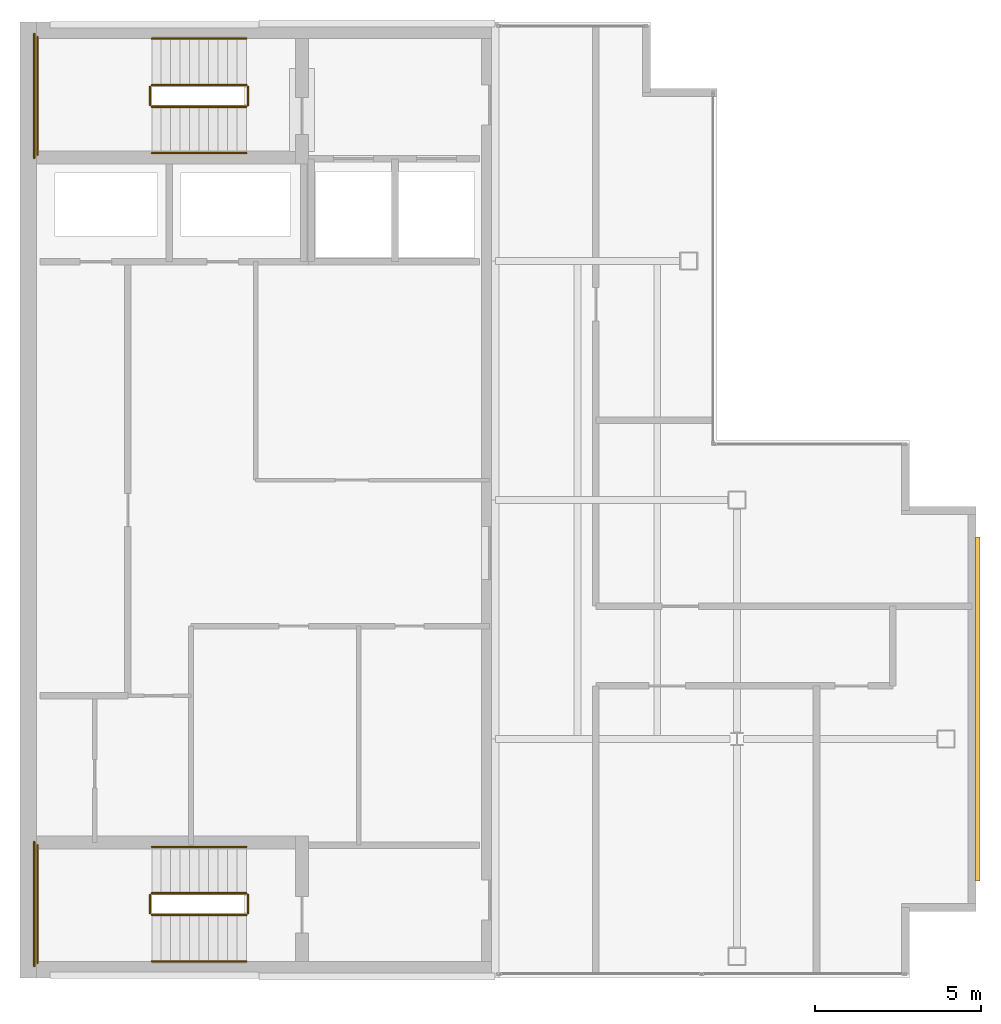
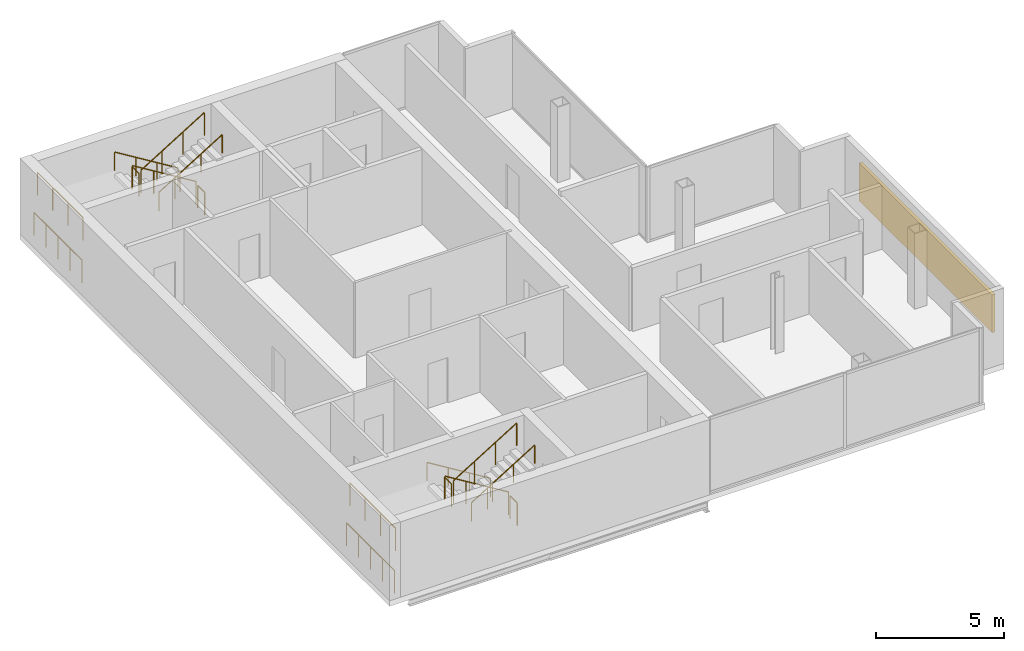
# One storey, part 15 of 15: 16 railings, 1 shading device.
"""IFC4 building model written with IfcOpenShell, lengths in metres."""

from ifc_helpers import new_model, si_unit, direction, frame, origin, origin_2d, place, context, subcontext, project, spatial, polyline, circle, outline, extrude, material, layer, layer_set, type_object, element, save


model = new_model("IFC4")

# Units and contexts
model_context = context("Model", 3, precision=1e-05, world=origin(), true_north=direction((0.0, 1.0)))
body_context = subcontext(model_context, "Body", "Model", "MODEL_VIEW")
ifc_project = project(units=[si_unit("LENGTHUNIT", "METRE"), si_unit("AREAUNIT", "SQUARE_METRE"), si_unit("VOLUMEUNIT", "CUBIC_METRE"), si_unit("PLANEANGLEUNIT", "RADIAN"), si_unit("MASSUNIT", "GRAM", prefix="KILO")], contexts=[model_context])

# Site, building, storey
site_placement = place(None, origin())
site = spatial("IfcSite", under=ifc_project, at=site_placement, CompositionType="ELEMENT")
building_placement = place(site_placement, origin())
building = spatial("IfcBuilding", under=site, at=building_placement, Name="Cobrela Telecom Tower", CompositionType="ELEMENT")
storey_placement = place(building_placement, frame((0.0, 0.0, 297.5)))
storey = spatial("IfcBuildingStorey", under=building, at=storey_placement, Name="L78", CompositionType="ELEMENT", Elevation=297.5)

# Railings
ifc_material_1 = material(Name="Steel ASTM A36", Category="steel")
railing_type_1 = type_object("IfcRailingType", Name="RAIL-GUARD-1100", PredefinedType="GUARDRAIL", material=ifc_material_1)
railing_1_placement = place(storey_placement, frame((6.820068359375, 34.10009765625, 0.175048828125)))
element("IfcRailing", 1, at=railing_1_placement, inside=storey, type_object=railing_type_1, Name="L78 ST1 stair guard 1", PredefinedType="GUARDRAIL", context=body_context, shape_type="SweptSolid", body=[
    extrude(circle(Radius=0.02392578125, at=origin_2d()), frame((0.0, 0.0, 1.076171875), z_axis=(-0.852179220489, 0.0, 0.52325001306), x_axis=(0.0, -1.0, 0.0)), (0.0, 0.0, 1.0), 3.344482421875),
    extrude(circle(Radius=0.02099609375, at=origin_2d()), origin(), (0.0, 0.0, 1.0), 1.052001953125),
    extrude(circle(Radius=0.02099609375, at=origin_2d()), frame((-0.949951171875, 0.0, 0.583251953125)), (0.0, 0.0, 1.0), 1.052001953125),
    extrude(circle(Radius=0.02099609375, at=origin_2d()), frame((-1.900146484375, 0.0, 1.166748046875)), (0.0, 0.0, 1.0), 1.052001953125),
    extrude(circle(Radius=0.02099609375, at=origin_2d()), frame((-2.85009765625, 0.0, 1.75)), (0.0, 0.0, 1.0), 1.052001953125),
])
railing_2_placement = place(storey_placement, frame((3.919921875, 34.050048828125, 1.925048828125)))
element("IfcRailing", 2, at=railing_2_placement, inside=storey, type_object=railing_type_1, Name="L78 ST1 stair guard 2", PredefinedType="GUARDRAIL", context=body_context, shape_type="SweptSolid", body=[
    extrude(circle(Radius=0.02392578125, at=origin_2d()), frame((0.0, 0.0, 1.076171875), z_axis=(0.0, -1.0, 0.0), x_axis=(1.0, 0.0, 0.0)), (0.0, 0.0, 1.0), 0.550048828125),
    extrude(circle(Radius=0.02099609375, at=origin_2d()), origin(), (0.0, 0.0, 1.0), 1.052001953125),
    extrude(circle(Radius=0.02099609375, at=origin_2d()), frame((0.0, -0.550048828125, 0.0)), (0.0, 0.0, 1.0), 1.052001953125),
])
railing_3_placement = place(storey_placement, frame((0.530029296875, 35.550048828125, 1.925048828125)))
element("IfcRailing", 3, at=railing_3_placement, inside=storey, type_object=railing_type_1, Name="L78 ST1 stair guard 3", PredefinedType="GUARDRAIL", context=body_context, shape_type="SweptSolid", body=[
    extrude(circle(Radius=0.02392578125, at=origin_2d()), frame((0.0, 0.0, 1.076171875), z_axis=(0.0, -1.0, 0.0), x_axis=(1.0, 0.0, 0.0)), (0.0, 0.0, 1.0), 3.550048828125),
    extrude(circle(Radius=0.02099609375, at=origin_2d()), origin(), (0.0, 0.0, 1.0), 1.052001953125),
    extrude(circle(Radius=0.02099609375, at=origin_2d()), frame((0.0, -1.183349609375, 0.0)), (0.0, 0.0, 1.0), 1.052001953125),
    extrude(circle(Radius=0.02099609375, at=origin_2d()), frame((0.0, -2.36669921875, 0.0)), (0.0, 0.0, 1.0), 1.052001953125),
    extrude(circle(Radius=0.02099609375, at=origin_2d()), frame((0.0, -3.550048828125, 0.0)), (0.0, 0.0, 1.0), 1.052001953125),
])
railing_4_placement = place(storey_placement, frame((3.969970703125, 33.449951171875, 2.10009765625)))
element("IfcRailing", 4, at=railing_4_placement, inside=storey, type_object=railing_type_1, Name="L78 ST1 stair guard 4", PredefinedType="GUARDRAIL", context=body_context, shape_type="SweptSolid", body=[
    extrude(circle(Radius=0.02392578125, at=origin_2d()), frame((0.0, 0.0, 1.076171875), z_axis=(0.852179220489, 0.0, 0.52325001306), x_axis=(0.0, 1.0, 0.0)), (0.0, 0.0, 1.0), 3.344482421875),
    extrude(circle(Radius=0.02099609375, at=origin_2d()), origin(), (0.0, 0.0, 1.0), 1.052001953125),
    extrude(circle(Radius=0.02099609375, at=origin_2d()), frame((0.949951171875, 0.0, 0.583251953125)), (0.0, 0.0, 1.0), 1.052001953125),
    extrude(circle(Radius=0.02099609375, at=origin_2d()), frame((1.900146484375, 0.0, 1.166748046875)), (0.0, 0.0, 1.0), 1.052001953125),
    extrude(circle(Radius=0.02099609375, at=origin_2d()), frame((2.85009765625, 0.0, 1.75)), (0.0, 0.0, 1.0), 1.052001953125),
])
railing_5_placement = place(storey_placement, frame((6.8701171875, 34.050048828125, 0.0)))
element("IfcRailing", 5, at=railing_5_placement, inside=storey, type_object=railing_type_1, Name="L78 ST1 stair guard 5", PredefinedType="GUARDRAIL", context=body_context, shape_type="SweptSolid", body=[
    extrude(circle(Radius=0.02392578125, at=origin_2d()), frame((0.0, 0.0, 1.076171875), z_axis=(0.0, -1.0, 0.0), x_axis=(1.0, 0.0, 0.0)), (0.0, 0.0, 1.0), 0.550048828125),
    extrude(circle(Radius=0.02099609375, at=origin_2d()), origin(), (0.0, 0.0, 1.0), 1.052001953125),
    extrude(circle(Radius=0.02099609375, at=origin_2d()), frame((0.0, -0.550048828125, 0.0)), (0.0, 0.0, 1.0), 1.052001953125),
])
railing_6_placement = place(storey_placement, frame((0.429931640625, 35.64990234375, 0.0)))
element("IfcRailing", 6, at=railing_6_placement, inside=storey, type_object=railing_type_1, Name="L78 ST1 stair guard 6", PredefinedType="GUARDRAIL", context=body_context, shape_type="SweptSolid", body=[
    extrude(circle(Radius=0.02392578125, at=origin_2d()), frame((0.0, 0.0, 1.076171875), z_axis=(0.0, -1.0, 0.0), x_axis=(1.0, 0.0, 0.0)), (0.0, 0.0, 1.0), 3.75),
    extrude(circle(Radius=0.02099609375, at=origin_2d()), origin(), (0.0, 0.0, 1.0), 1.052001953125),
    extrude(circle(Radius=0.02099609375, at=origin_2d()), frame((0.0, -0.9375, 0.0)), (0.0, 0.0, 1.0), 1.052001953125),
    extrude(circle(Radius=0.02099609375, at=origin_2d()), frame((0.0, -1.875, 0.0)), (0.0, 0.0, 1.0), 1.052001953125),
    extrude(circle(Radius=0.02099609375, at=origin_2d()), frame((0.0, -2.8125, 0.0)), (0.0, 0.0, 1.0), 1.052001953125),
    extrude(circle(Radius=0.02099609375, at=origin_2d()), frame((0.0, -3.75, 0.0)), (0.0, 0.0, 1.0), 1.052001953125),
])
railing_7_placement = place(storey_placement, frame((6.820068359375, 9.75, 0.175048828125)))
element("IfcRailing", 7, at=railing_7_placement, inside=storey, type_object=railing_type_1, Name="L78 ST2 stair guard 1", PredefinedType="GUARDRAIL", context=body_context, shape_type="SweptSolid", body=[
    extrude(circle(Radius=0.02392578125, at=origin_2d()), frame((0.0, 0.0, 1.076171875), z_axis=(-0.852179220489, 0.0, 0.52325001306), x_axis=(0.0, -1.0, 0.0)), (0.0, 0.0, 1.0), 3.344482421875),
    extrude(circle(Radius=0.02099609375, at=origin_2d()), origin(), (0.0, 0.0, 1.0), 1.052001953125),
    extrude(circle(Radius=0.02099609375, at=origin_2d()), frame((-0.949951171875, 0.0, 0.583251953125)), (0.0, 0.0, 1.0), 1.052001953125),
    extrude(circle(Radius=0.02099609375, at=origin_2d()), frame((-1.900146484375, 0.0, 1.166748046875)), (0.0, 0.0, 1.0), 1.052001953125),
    extrude(circle(Radius=0.02099609375, at=origin_2d()), frame((-2.85009765625, 0.0, 1.75)), (0.0, 0.0, 1.0), 1.052001953125),
])
railing_8_placement = place(storey_placement, frame((3.919921875, 9.699951171875, 1.925048828125)))
element("IfcRailing", 8, at=railing_8_placement, inside=storey, type_object=railing_type_1, Name="L78 ST2 stair guard 2", PredefinedType="GUARDRAIL", context=body_context, shape_type="SweptSolid", body=[
    extrude(circle(Radius=0.02392578125, at=origin_2d()), frame((0.0, 0.0, 1.076171875), z_axis=(0.0, -1.0, 0.0), x_axis=(1.0, 0.0, 0.0)), (0.0, 0.0, 1.0), 0.550048828125),
    extrude(circle(Radius=0.02099609375, at=origin_2d()), origin(), (0.0, 0.0, 1.0), 1.052001953125),
    extrude(circle(Radius=0.02099609375, at=origin_2d()), frame((0.0, -0.550048828125, 0.0)), (0.0, 0.0, 1.0), 1.052001953125),
])
railing_9_placement = place(storey_placement, frame((0.530029296875, 11.199951171875, 1.925048828125)))
element("IfcRailing", 9, at=railing_9_placement, inside=storey, type_object=railing_type_1, Name="L78 ST2 stair guard 3", PredefinedType="GUARDRAIL", context=body_context, shape_type="SweptSolid", body=[
    extrude(circle(Radius=0.02392578125, at=origin_2d()), frame((0.0, 0.0, 1.076171875), z_axis=(0.0, -1.0, 0.0), x_axis=(1.0, 0.0, 0.0)), (0.0, 0.0, 1.0), 3.550048828125),
    extrude(circle(Radius=0.02099609375, at=origin_2d()), origin(), (0.0, 0.0, 1.0), 1.052001953125),
    extrude(circle(Radius=0.02099609375, at=origin_2d()), frame((0.0, -1.183349609375, 0.0)), (0.0, 0.0, 1.0), 1.052001953125),
    extrude(circle(Radius=0.02099609375, at=origin_2d()), frame((0.0, -2.36669921875, 0.0)), (0.0, 0.0, 1.0), 1.052001953125),
    extrude(circle(Radius=0.02099609375, at=origin_2d()), frame((0.0, -3.550048828125, 0.0)), (0.0, 0.0, 1.0), 1.052001953125),
])
railing_10_placement = place(storey_placement, frame((3.969970703125, 9.10009765625, 2.10009765625)))
element("IfcRailing", 10, at=railing_10_placement, inside=storey, type_object=railing_type_1, Name="L78 ST2 stair guard 4", PredefinedType="GUARDRAIL", context=body_context, shape_type="SweptSolid", body=[
    extrude(circle(Radius=0.02392578125, at=origin_2d()), frame((0.0, 0.0, 1.076171875), z_axis=(0.852179220489, 0.0, 0.52325001306), x_axis=(0.0, 1.0, 0.0)), (0.0, 0.0, 1.0), 3.344482421875),
    extrude(circle(Radius=0.02099609375, at=origin_2d()), origin(), (0.0, 0.0, 1.0), 1.052001953125),
    extrude(circle(Radius=0.02099609375, at=origin_2d()), frame((0.949951171875, 0.0, 0.583251953125)), (0.0, 0.0, 1.0), 1.052001953125),
    extrude(circle(Radius=0.02099609375, at=origin_2d()), frame((1.900146484375, 0.0, 1.166748046875)), (0.0, 0.0, 1.0), 1.052001953125),
    extrude(circle(Radius=0.02099609375, at=origin_2d()), frame((2.85009765625, 0.0, 1.75)), (0.0, 0.0, 1.0), 1.052001953125),
])
railing_11_placement = place(storey_placement, frame((6.8701171875, 9.699951171875, 0.0)))
element("IfcRailing", 11, at=railing_11_placement, inside=storey, type_object=railing_type_1, Name="L78 ST2 stair guard 5", PredefinedType="GUARDRAIL", context=body_context, shape_type="SweptSolid", body=[
    extrude(circle(Radius=0.02392578125, at=origin_2d()), frame((0.0, 0.0, 1.076171875), z_axis=(0.0, -1.0, 0.0), x_axis=(1.0, 0.0, 0.0)), (0.0, 0.0, 1.0), 0.550048828125),
    extrude(circle(Radius=0.02099609375, at=origin_2d()), origin(), (0.0, 0.0, 1.0), 1.052001953125),
    extrude(circle(Radius=0.02099609375, at=origin_2d()), frame((0.0, -0.550048828125, 0.0)), (0.0, 0.0, 1.0), 1.052001953125),
])
railing_12_placement = place(storey_placement, frame((0.429931640625, 11.300048828125, 0.0)))
element("IfcRailing", 12, at=railing_12_placement, inside=storey, type_object=railing_type_1, Name="L78 ST2 stair guard 6", PredefinedType="GUARDRAIL", context=body_context, shape_type="SweptSolid", body=[
    extrude(circle(Radius=0.02392578125, at=origin_2d()), frame((0.0, 0.0, 1.076171875), z_axis=(0.0, -1.0, 0.0), x_axis=(1.0, 0.0, 0.0)), (0.0, 0.0, 1.0), 3.75),
    extrude(circle(Radius=0.02099609375, at=origin_2d()), origin(), (0.0, 0.0, 1.0), 1.052001953125),
    extrude(circle(Radius=0.02099609375, at=origin_2d()), frame((0.0, -0.9375, 0.0)), (0.0, 0.0, 1.0), 1.052001953125),
    extrude(circle(Radius=0.02099609375, at=origin_2d()), frame((0.0, -1.875, 0.0)), (0.0, 0.0, 1.0), 1.052001953125),
    extrude(circle(Radius=0.02099609375, at=origin_2d()), frame((0.0, -2.8125, 0.0)), (0.0, 0.0, 1.0), 1.052001953125),
    extrude(circle(Radius=0.02099609375, at=origin_2d()), frame((0.0, -3.75, 0.0)), (0.0, 0.0, 1.0), 1.052001953125),
])
railing_type_2 = type_object("IfcRailingType", Name="RAIL-HAND-920", PredefinedType="HANDRAIL", material=ifc_material_1)
railing_13_placement = place(storey_placement, frame((6.820068359375, 35.5, 0.175048828125)))
element("IfcRailing", 13, at=railing_13_placement, inside=storey, type_object=railing_type_2, Name="L78 ST1 stair handrail 1", PredefinedType="HANDRAIL", context=body_context, shape_type="SweptSolid", body=[
    extrude(circle(Radius=0.02392578125, at=origin_2d()), frame((0.0, 0.0, 0.8759765625), z_axis=(-0.852179220489, 0.0, 0.52325001306), x_axis=(0.0, -1.0, 0.0)), (0.0, 0.0, 1.0), 3.344482421875),
    extrude(circle(Radius=0.02099609375, at=origin_2d()), origin(), (0.0, 0.0, 1.0), 0.851806640625),
    extrude(circle(Radius=0.02099609375, at=origin_2d()), frame((-0.949951171875, 0.0, 0.583251953125)), (0.0, 0.0, 1.0), 0.851806640625),
    extrude(circle(Radius=0.02099609375, at=origin_2d()), frame((-1.900146484375, 0.0, 1.166748046875)), (0.0, 0.0, 1.0), 0.851806640625),
    extrude(circle(Radius=0.02099609375, at=origin_2d()), frame((-2.85009765625, 0.0, 1.75)), (0.0, 0.0, 1.0), 0.851806640625),
])
railing_14_placement = place(storey_placement, frame((3.969970703125, 32.050048828125, 2.10009765625)))
element("IfcRailing", 14, at=railing_14_placement, inside=storey, type_object=railing_type_2, Name="L78 ST1 stair handrail 2", PredefinedType="HANDRAIL", context=body_context, shape_type="SweptSolid", body=[
    extrude(circle(Radius=0.02392578125, at=origin_2d()), frame((0.0, 0.0, 0.8759765625), z_axis=(0.852179220489, 0.0, 0.52325001306), x_axis=(0.0, 1.0, 0.0)), (0.0, 0.0, 1.0), 3.344482421875),
    extrude(circle(Radius=0.02099609375, at=origin_2d()), origin(), (0.0, 0.0, 1.0), 0.851806640625),
    extrude(circle(Radius=0.02099609375, at=origin_2d()), frame((0.949951171875, 0.0, 0.583251953125)), (0.0, 0.0, 1.0), 0.851806640625),
    extrude(circle(Radius=0.02099609375, at=origin_2d()), frame((1.900146484375, 0.0, 1.166748046875)), (0.0, 0.0, 1.0), 0.851806640625),
    extrude(circle(Radius=0.02099609375, at=origin_2d()), frame((2.85009765625, 0.0, 1.75)), (0.0, 0.0, 1.0), 0.851806640625),
])
railing_15_placement = place(storey_placement, frame((6.820068359375, 11.14990234375, 0.175048828125)))
element("IfcRailing", 15, at=railing_15_placement, inside=storey, type_object=railing_type_2, Name="L78 ST2 stair handrail 1", PredefinedType="HANDRAIL", context=body_context, shape_type="SweptSolid", body=[
    extrude(circle(Radius=0.02392578125, at=origin_2d()), frame((0.0, 0.0, 0.8759765625), z_axis=(-0.852179220489, 0.0, 0.52325001306), x_axis=(0.0, -1.0, 0.0)), (0.0, 0.0, 1.0), 3.344482421875),
    extrude(circle(Radius=0.02099609375, at=origin_2d()), origin(), (0.0, 0.0, 1.0), 0.851806640625),
    extrude(circle(Radius=0.02099609375, at=origin_2d()), frame((-0.949951171875, 0.0, 0.583251953125)), (0.0, 0.0, 1.0), 0.851806640625),
    extrude(circle(Radius=0.02099609375, at=origin_2d()), frame((-1.900146484375, 0.0, 1.166748046875)), (0.0, 0.0, 1.0), 0.851806640625),
    extrude(circle(Radius=0.02099609375, at=origin_2d()), frame((-2.85009765625, 0.0, 1.75)), (0.0, 0.0, 1.0), 0.851806640625),
])
railing_16_placement = place(storey_placement, frame((3.969970703125, 7.699951171875, 2.10009765625)))
element("IfcRailing", 16, at=railing_16_placement, inside=storey, type_object=railing_type_2, Name="L78 ST2 stair handrail 2", PredefinedType="HANDRAIL", context=body_context, shape_type="SweptSolid", body=[
    extrude(circle(Radius=0.02392578125, at=origin_2d()), frame((0.0, 0.0, 0.8759765625), z_axis=(0.852179220489, 0.0, 0.52325001306), x_axis=(0.0, 1.0, 0.0)), (0.0, 0.0, 1.0), 3.344482421875),
    extrude(circle(Radius=0.02099609375, at=origin_2d()), origin(), (0.0, 0.0, 1.0), 0.851806640625),
    extrude(circle(Radius=0.02099609375, at=origin_2d()), frame((0.949951171875, 0.0, 0.583251953125)), (0.0, 0.0, 1.0), 0.851806640625),
    extrude(circle(Radius=0.02099609375, at=origin_2d()), frame((1.900146484375, 0.0, 1.166748046875)), (0.0, 0.0, 1.0), 0.851806640625),
    extrude(circle(Radius=0.02099609375, at=origin_2d()), frame((2.85009765625, 0.0, 1.75)), (0.0, 0.0, 1.0), 0.851806640625),
])

# Shading device
ifc_material_2 = material(Name="Anodized Bronze Aluminium 6063-T6", Category="aluminium")
ifc_layer = layer(ifc_material_2, 0.159912109375)
ifc_layer_set = layer_set([ifc_layer], Name="Anodized Bronze Aluminium 6063-T6")
shading_device_type = type_object("IfcShadingDeviceType", Name="SHD-LOUVRE-BRZ", PredefinedType="JALOUSIE", material=ifc_layer_set)
shading_device_placement = place(storey_placement, frame((0.0, 0.0, 0.89990234375)))
element("IfcShadingDevice", 17, at=shading_device_placement, inside=storey, type_object=shading_device_type, Name="L78 Crown Cooling Tower Bronze Louvre 12", PredefinedType="JALOUSIE", context=body_context, shape_type="SweptSolid", body=[
    extrude(outline(polyline([(28.7900390625, 20.47998046875), (28.7900390625, 10.1201171875), (28.929931640625, 10.1201171875), (28.929931640625, 20.47998046875), (28.7900390625, 20.47998046875)])), origin(), (0.0, 0.0, 1.0), 1.800048828125),
])

save(model, "model.ifc")
